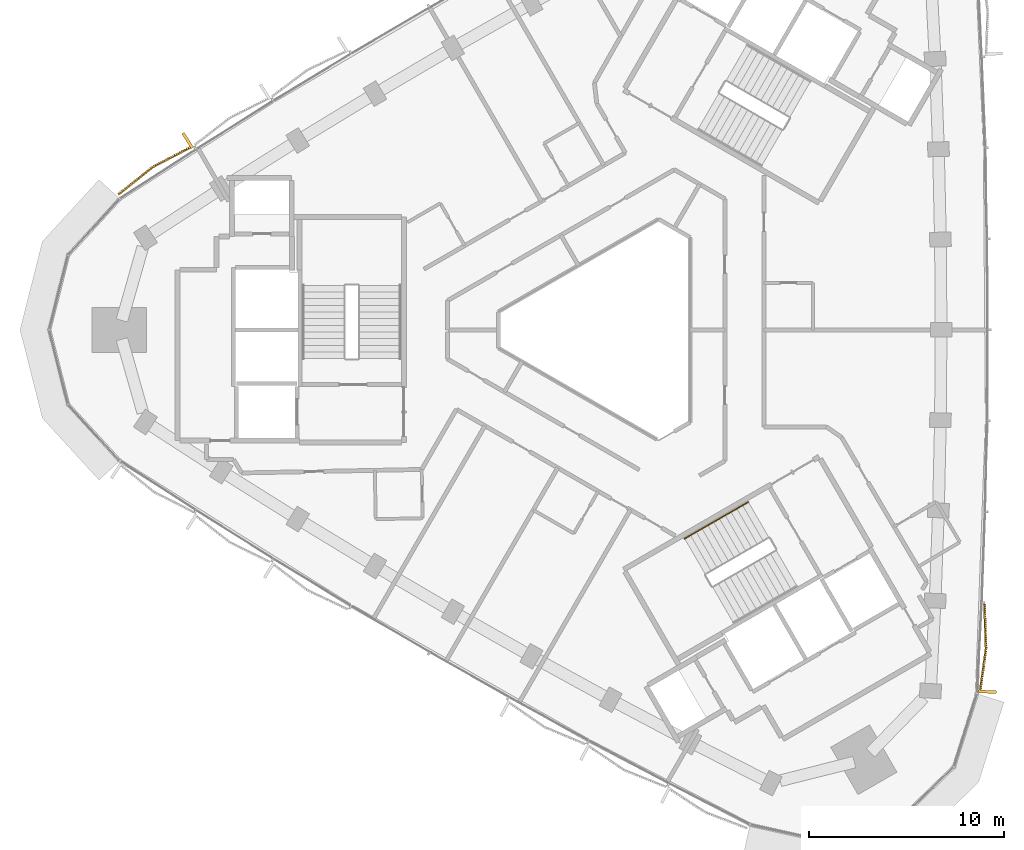
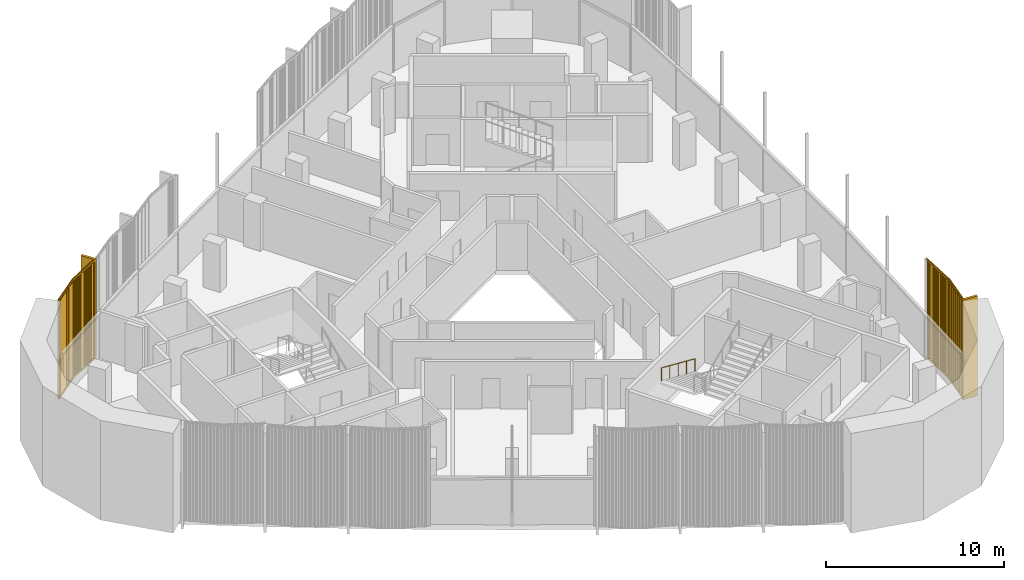
# One storey, part 14 of 16: 2 coverings, 1 railing.
"""IFC4 building model written with IfcOpenShell, lengths in metres."""

import ifcopenshell
import ifcopenshell.guid

model = None  # the IFC model being written
_history = None  # IfcOwnerHistory: only IFC2X3 demands one
_inside = {}  # id of a spatial element -> (the spatial element, [elements in it])
_under = {}  # id of a project, library or spatial element -> (it, [spatial elements below it])
_declared = {}  # id of a project -> (the project, [libraries it declares])
_typed = {}  # id of a type object -> (the type object, [elements of that type])
_made_of = {}  # id of a material, layer set ... -> (it, [elements and type objects made of it])


def new_model(schema):
    """Start an empty IFC model of exactly this schema.

    Asked for "IFC4X3", IfcOpenShell would pick the latest addendum, in which some entities
    have other attributes; the version numbers below select the first issue.
    IFC2X3 requires an IfcOwnerHistory on every rooted entity: one is made here for all.
    """
    global model, _history
    if schema == "IFC4X3":
        model = ifcopenshell.file(schema_version=(4, 3, 0, 0))
    else:
        model = ifcopenshell.file(schema=schema)
    _inside.clear()
    _under.clear()
    _declared.clear()
    _typed.clear()
    _made_of.clear()
    _history = None
    if model.schema == "IFC2X3":
        org = make("IfcOrganization", Name="unknown")
        user = make(
            "IfcPersonAndOrganization",
            ThePerson=make("IfcPerson", FamilyName="unknown"),
            TheOrganization=org,
        )
        app = make(
            "IfcApplication",
            ApplicationDeveloper=org,
            Version="unknown",
            ApplicationFullName="unknown",
            ApplicationIdentifier="unknown",
        )
        _history = make(
            "IfcOwnerHistory",
            OwningUser=user,
            OwningApplication=app,
            ChangeAction="ADDED",
            CreationDate=0,
        )
    return model


def make(cls, **values):
    """One entity of the class cls with the attributes given. An attribute that is None is left unset."""
    return model.create_entity(
        cls, **{name: value for name, value in values.items() if value is not None}
    )


def rooted(cls, **values):
    """An entity with a GlobalId (a new one), such as an element, a storey or a relation."""
    return make(cls, GlobalId=ifcopenshell.guid.new(), OwnerHistory=_history, **values)


def si_unit(unit_type, name, prefix=None):
    """IfcSIUnit, for example si_unit("LENGTHUNIT", "METRE", prefix="MILLI")."""
    return make("IfcSIUnit", UnitType=unit_type, Prefix=prefix, Name=name)


def assignment(units):
    """IfcUnitAssignment: the units of a project."""
    return None if units is None else make("IfcUnitAssignment", Units=units)


def point(xyz):
    """IfcCartesianPoint."""
    return None if xyz is None else make("IfcCartesianPoint", Coordinates=xyz)


def direction(xyz):
    """IfcDirection."""
    return None if xyz is None else make("IfcDirection", DirectionRatios=xyz)


def frame(location, z_axis=None, x_axis=None):
    """IfcAxis2Placement3D, a coordinate frame: its origin and axes. An axis left out is left unset."""
    return make(
        "IfcAxis2Placement3D",
        Location=point(location),
        Axis=direction(z_axis),
        RefDirection=direction(x_axis),
    )


def frame_2d(location, x_axis=None):
    """IfcAxis2Placement2D, a coordinate frame in the plane: its origin and x axis."""
    return make(
        "IfcAxis2Placement2D", Location=point(location), RefDirection=direction(x_axis)
    )


def origin():
    """The frame at (0, 0, 0) with its axes left unset."""
    return frame((0.0, 0.0, 0.0))


def origin_2d():
    """The frame at (0, 0) in the plane with its x axis left unset."""
    return frame_2d((0.0, 0.0))


def place(relative_to, where):
    """IfcLocalPlacement: puts the frame where relative to a parent placement (None: the world)."""
    return make(
        "IfcLocalPlacement", PlacementRelTo=relative_to, RelativePlacement=where
    )


def context(
    kind, dimensions, precision=None, world=None, true_north=None, identifier=None
):
    """IfcGeometricRepresentationContext, for example the 3D "Model" context."""
    return make(
        "IfcGeometricRepresentationContext",
        ContextIdentifier=identifier,
        ContextType=kind,
        CoordinateSpaceDimension=dimensions,
        Precision=precision,
        WorldCoordinateSystem=world,
        TrueNorth=true_north,
    )


def subcontext(parent, identifier, kind, view, scale=None):
    """IfcGeometricRepresentationSubContext, for example "Body" below "Model"."""
    return make(
        "IfcGeometricRepresentationSubContext",
        ContextIdentifier=identifier,
        ContextType=kind,
        ParentContext=parent,
        TargetScale=scale,
        TargetView=view,
    )


def project(units=None, contexts=None):
    """IfcProject with its units and contexts."""
    return rooted(
        "IfcProject",
        Name="project",
        RepresentationContexts=contexts,
        UnitsInContext=assignment(units),
    )


def spatial(cls, under=None, at=None, **own):
    """A site, building, storey or space (cls), placed at a placement, below another one or the project."""
    s = rooted(cls, ObjectPlacement=at, **own)
    if under is not None:
        _under.setdefault(under.id(), (under, []))[1].append(s)
    return s


def profile(cls, at=None, kind="AREA", **sizes):
    """A parametric profile (cls). Its sizes go by their IFC names, for example OverallWidth=200.0."""
    return make(cls, ProfileType=kind, Position=at, **sizes)


def rectangle(**sizes):
    """IfcRectangleProfileDef."""
    return profile("IfcRectangleProfileDef", **sizes)


def circle(**sizes):
    """IfcCircleProfileDef."""
    return profile("IfcCircleProfileDef", **sizes)


def extrude(swept, where, along, depth):
    """IfcExtrudedAreaSolid: the profile swept, set in the frame where, extruded along a direction by depth."""
    return make(
        "IfcExtrudedAreaSolid",
        SweptArea=swept,
        Position=where,
        ExtrudedDirection=direction(along),
        Depth=depth,
    )


def shape(context_of_items, identifier, shape_type, items):
    """IfcShapeRepresentation: the items that make up one representation, for example the "Body"."""
    return make(
        "IfcShapeRepresentation",
        ContextOfItems=context_of_items,
        RepresentationIdentifier=identifier,
        RepresentationType=shape_type,
        Items=items,
    )


def source(mapping_origin, context_of_items, identifier, shape_type, items):
    """IfcRepresentationMap: a shape defined once, which mapped items show again and again."""
    return make(
        "IfcRepresentationMap",
        MappingOrigin=mapping_origin,
        MappedRepresentation=shape(context_of_items, identifier, shape_type, items),
    )


def transform(
    local_origin,
    x_axis=None,
    y_axis=None,
    z_axis=None,
    scale=None,
    scale2=None,
    scale3=None,
    uniform=True,
):
    """IfcCartesianTransformationOperator3D, or its non-uniform kind. x_axis, y_axis, z_axis: its Axis1, 2, 3."""
    if uniform:
        return make(
            "IfcCartesianTransformationOperator3D",
            Axis1=direction(x_axis),
            Axis2=direction(y_axis),
            LocalOrigin=point(local_origin),
            Scale=scale,
            Axis3=direction(z_axis),
        )
    return make(
        "IfcCartesianTransformationOperator3DnonUniform",
        Axis1=direction(x_axis),
        Axis2=direction(y_axis),
        LocalOrigin=point(local_origin),
        Scale=scale,
        Axis3=direction(z_axis),
        Scale2=scale2,
        Scale3=scale3,
    )


def mapped(mapping_source, mapping_target):
    """IfcMappedItem: shows the shape of a source again, moved by a transform."""
    return make(
        "IfcMappedItem", MappingSource=mapping_source, MappingTarget=mapping_target
    )


def material(Name=None, Category=None):
    """IfcMaterial."""
    return make("IfcMaterial", Name=Name, Category=Category)


def made_of(thing, what):
    """Note that an element or type object is made of a material, layer set ...; save() writes the relation."""
    if what is not None:
        _made_of.setdefault(what.id(), (what, []))[1].append(thing)
    return thing


def type_object(cls, material=None, **own):
    """A type object (cls), such as IfcWallType, which elements share."""
    return made_of(rooted(cls, **own), material)


def element(
    cls,
    number,
    at=None,
    inside=None,
    cuts=None,
    type_object=None,
    material=None,
    context=None,
    identifier="Body",
    shape_type=None,
    held_by="IfcProductDefinitionShape",
    body=None,
    shapes=None,
    **own,
):
    """One element of the class cls, such as IfcWall. Its Tag is "e" and its number.

    at: its placement. inside: the storey or other place that contains it. cuts: it is an
    opening in that element (IfcRelVoidsElement). A single representation is given by context,
    identifier, shape_type and body (its items); several are given by shapes. held_by: the class
    of the entity that holds the representations. save() writes the other relations.
    """
    e = rooted(cls, Tag="e%d" % number, ObjectPlacement=at, **own)
    if body is not None:
        shapes = [shape(context, identifier, shape_type, body)]
    if shapes is not None:
        e.Representation = make(held_by, Representations=shapes)
    if inside is not None:
        _inside.setdefault(inside.id(), (inside, []))[1].append(e)
    if cuts is not None:
        rooted(
            "IfcRelVoidsElement", RelatingBuildingElement=cuts, RelatedOpeningElement=e
        )
    if type_object is not None:
        _typed.setdefault(type_object.id(), (type_object, []))[1].append(e)
    return made_of(e, material)


def aggregate(whole, parts):
    """IfcRelAggregates: a whole, such as a stair, and the parts it consists of."""
    return rooted("IfcRelAggregates", RelatingObject=whole, RelatedObjects=parts)


def save(model, path):
    """Write the relations noted so far, then the file.

    IfcRelAggregates (storeys below a building ...), IfcRelContainedInSpatialStructure (elements
    in a storey), IfcRelDefinesByType, IfcRelAssociatesMaterial and IfcRelDeclares: one each for
    every whole, place, type object, material and project.
    """
    for whole, parts in _under.values():
        aggregate(whole, parts)
    for where, things in _inside.values():
        rooted(
            "IfcRelContainedInSpatialStructure",
            RelatedElements=things,
            RelatingStructure=where,
        )
    for kind, things in _typed.values():
        rooted("IfcRelDefinesByType", RelatedObjects=things, RelatingType=kind)
    for what, things in _made_of.values():
        rooted("IfcRelAssociatesMaterial", RelatedObjects=things, RelatingMaterial=what)
    for by, libraries in _declared.values():
        rooted("IfcRelDeclares", RelatingContext=by, RelatedDefinitions=libraries)
    model.write(path)


model = new_model("IFC4")

# Units and contexts
model_context = context("Model", 3, precision=1e-05, world=origin(), true_north=direction((0.0, 1.0)))
body_context = subcontext(model_context, "Body", "Model", "MODEL_VIEW")
ifc_project = project(units=[si_unit("LENGTHUNIT", "METRE"), si_unit("AREAUNIT", "SQUARE_METRE"), si_unit("VOLUMEUNIT", "CUBIC_METRE"), si_unit("PLANEANGLEUNIT", "RADIAN"), si_unit("MASSUNIT", "GRAM", prefix="KILO")], contexts=[model_context])

# Site, building, storey
site_placement = place(None, origin())
site = spatial("IfcSite", under=ifc_project, at=site_placement, CompositionType="ELEMENT")
building_placement = place(site_placement, origin())
building = spatial("IfcBuilding", under=site, at=building_placement, Name="Tamra Quay Hotel Tower", CompositionType="ELEMENT")
storey_placement = place(building_placement, frame((0.0, 0.0, 232.199951171875)))
storey = spatial("IfcBuildingStorey", under=building, at=storey_placement, Name="L58", CompositionType="ELEMENT", Elevation=232.199951171875)

# Railing
ifc_material_1 = material(Name="Stair handrail 900")
railing_type = type_object("IfcRailingType", Name="Stair handrail 900", PredefinedType="HANDRAIL", material=ifc_material_1)
railing_placement = place(storey_placement, frame((6.7978515625, -8.814208984375, 0.150146484375)))
element("IfcRailing", 1, at=railing_placement, inside=storey, type_object=railing_type, Name="HR", PredefinedType="HANDRAIL", context=body_context, shape_type="SweptSolid", body=[
    extrude(circle(Radius=0.02392578125, at=origin_2d()), frame((0.0, 0.0, 0.8759765625), z_axis=(-0.79310004713, -0.457886897714, 0.401661429744), x_axis=(0.499992114976, -0.866029956157, 0.0)), (0.0, 0.0, 1.0), 4.107666015625),
    extrude(circle(Radius=0.02099609375, at=origin_2d()), origin(), (0.0, 0.0, 1.0), 0.851806640625),
    extrude(circle(Radius=0.02099609375, at=origin_2d()), frame((-0.814453125, -0.47021484375, 0.41259765625)), (0.0, 0.0, 1.0), 0.851806640625),
    extrude(circle(Radius=0.02099609375, at=origin_2d()), frame((-1.62890625, -0.9404296875, 0.824951171875)), (0.0, 0.0, 1.0), 0.851806640625),
    extrude(circle(Radius=0.02099609375, at=origin_2d()), frame((-2.443359375, -1.41064453125, 1.2373046875)), (0.0, 0.0, 1.0), 0.851806640625),
    extrude(circle(Radius=0.02099609375, at=origin_2d()), frame((-3.2578125, -1.880859375, 1.64990234375)), (0.0, 0.0, 1.0), 0.851806640625),
])

# Coverings
ifc_material_2 = material(Name="Terracotta baguette extruded", Category="masonry")
covering_type_1 = type_object("IfcCoveringType", Name="BAGUETTE SCREEN E-V H6850", PredefinedType="USERDEFINED", material=ifc_material_2)
shared_shape_1 = source(origin(), body_context, "Body", "SweptSolid", [
    extrude(rectangle(XDim=2.291259765625, YDim=0.06005859375, at=frame_2d((1.1455078125, 0.030029296875))), frame((-2.287841796875, -0.057861328125, -0.1201171875), z_axis=(0.0, 0.0, 1.0), x_axis=(0.996194698092, -0.087155742748, 0.0)), (0.0, 0.0, 1.0), 0.1201171875),
    extrude(rectangle(XDim=2.291259765625, YDim=0.06005859375, at=frame_2d((1.1455078125, 0.030029296875))), frame((-2.287841796875, -0.057861328125, -6.85009765625), z_axis=(0.0, 0.0, 1.0), x_axis=(0.996194698092, -0.087155742748, 0.0)), (0.0, 0.0, 1.0), 0.1201171875),
    extrude(rectangle(XDim=0.070068359375, YDim=0.10009765625, at=frame_2d((0.03515625, 0.050048828125))), frame((-2.267822265625, -0.13232421875, -6.7900390625)), (0.0, 0.0, 1.0), 6.72998046875),
    extrude(rectangle(XDim=0.070068359375, YDim=0.10009765625, at=frame_2d((0.03515625, 0.050048828125))), frame((-2.168701171875, -0.14111328125, -6.7900390625)), (0.0, 0.0, 1.0), 6.72998046875),
    extrude(rectangle(XDim=0.070068359375, YDim=0.10009765625, at=frame_2d((0.03515625, 0.050048828125))), frame((-2.0693359375, -0.149658203125, -6.7900390625)), (0.0, 0.0, 1.0), 6.72998046875),
    extrude(rectangle(XDim=0.070068359375, YDim=0.10009765625, at=frame_2d((0.03515625, 0.050048828125))), frame((-1.97021484375, -0.158447265625, -6.7900390625)), (0.0, 0.0, 1.0), 6.72998046875),
    extrude(rectangle(XDim=0.070068359375, YDim=0.10009765625, at=frame_2d((0.03515625, 0.050048828125))), frame((-1.870849609375, -0.1669921875, -6.7900390625)), (0.0, 0.0, 1.0), 6.72998046875),
    extrude(rectangle(XDim=0.070068359375, YDim=0.10009765625, at=frame_2d((0.03515625, 0.050048828125))), frame((-1.771728515625, -0.17578125, -6.7900390625)), (0.0, 0.0, 1.0), 6.72998046875),
    extrude(rectangle(XDim=0.070068359375, YDim=0.10009765625, at=frame_2d((0.03515625, 0.050048828125))), frame((-1.67236328125, -0.184326171875, -6.7900390625)), (0.0, 0.0, 1.0), 6.72998046875),
    extrude(rectangle(XDim=0.070068359375, YDim=0.10009765625, at=frame_2d((0.03515625, 0.050048828125))), frame((-1.5732421875, -0.193115234375, -6.7900390625)), (0.0, 0.0, 1.0), 6.72998046875),
    extrude(rectangle(XDim=0.070068359375, YDim=0.10009765625, at=frame_2d((0.03515625, 0.050048828125))), frame((-1.473876953125, -0.201904296875, -6.7900390625)), (0.0, 0.0, 1.0), 6.72998046875),
    extrude(rectangle(XDim=0.070068359375, YDim=0.10009765625, at=frame_2d((0.03515625, 0.050048828125))), frame((-1.374755859375, -0.21044921875, -6.7900390625)), (0.0, 0.0, 1.0), 6.72998046875),
    extrude(rectangle(XDim=0.070068359375, YDim=0.10009765625, at=frame_2d((0.03515625, 0.050048828125))), frame((-1.275390625, -0.21923828125, -6.7900390625)), (0.0, 0.0, 1.0), 6.72998046875),
    extrude(rectangle(XDim=0.070068359375, YDim=0.10009765625, at=frame_2d((0.03515625, 0.050048828125))), frame((-1.17626953125, -0.227783203125, -6.7900390625)), (0.0, 0.0, 1.0), 6.72998046875),
    extrude(rectangle(XDim=0.070068359375, YDim=0.10009765625, at=frame_2d((0.03515625, 0.050048828125))), frame((-1.076904296875, -0.236572265625, -6.7900390625)), (0.0, 0.0, 1.0), 6.72998046875),
    extrude(rectangle(XDim=0.070068359375, YDim=0.10009765625, at=frame_2d((0.03515625, 0.050048828125))), frame((-0.977783203125, -0.2451171875, -6.7900390625)), (0.0, 0.0, 1.0), 6.72998046875),
    extrude(rectangle(XDim=0.070068359375, YDim=0.10009765625, at=frame_2d((0.03515625, 0.050048828125))), frame((-0.87841796875, -0.25390625, -6.7900390625)), (0.0, 0.0, 1.0), 6.72998046875),
    extrude(rectangle(XDim=0.070068359375, YDim=0.10009765625, at=frame_2d((0.03515625, 0.050048828125))), frame((-0.779296875, -0.2626953125, -6.7900390625)), (0.0, 0.0, 1.0), 6.72998046875),
    extrude(rectangle(XDim=0.070068359375, YDim=0.10009765625, at=frame_2d((0.03515625, 0.050048828125))), frame((-0.679931640625, -0.271240234375, -6.7900390625)), (0.0, 0.0, 1.0), 6.72998046875),
    extrude(rectangle(XDim=0.070068359375, YDim=0.10009765625, at=frame_2d((0.03515625, 0.050048828125))), frame((-0.580810546875, -0.280029296875, -6.7900390625)), (0.0, 0.0, 1.0), 6.72998046875),
    extrude(rectangle(XDim=0.070068359375, YDim=0.10009765625, at=frame_2d((0.03515625, 0.050048828125))), frame((-0.481689453125, -0.28857421875, -6.7900390625)), (0.0, 0.0, 1.0), 6.72998046875),
    extrude(rectangle(XDim=0.070068359375, YDim=0.10009765625, at=frame_2d((0.03515625, 0.050048828125))), frame((-0.38232421875, -0.29736328125, -6.7900390625)), (0.0, 0.0, 1.0), 6.72998046875),
    extrude(rectangle(XDim=0.070068359375, YDim=0.10009765625, at=frame_2d((0.03515625, 0.050048828125))), frame((-0.283203125, -0.305908203125, -6.7900390625)), (0.0, 0.0, 1.0), 6.72998046875),
    extrude(rectangle(XDim=0.070068359375, YDim=0.10009765625, at=frame_2d((0.03515625, 0.050048828125))), frame((-0.183837890625, -0.314697265625, -6.7900390625)), (0.0, 0.0, 1.0), 6.72998046875),
    extrude(rectangle(XDim=0.070068359375, YDim=0.10009765625, at=frame_2d((0.03515625, 0.050048828125))), frame((-0.084716796875, -0.3232421875, -6.7900390625)), (0.0, 0.0, 1.0), 6.72998046875),
    extrude(rectangle(XDim=2.291259765625, YDim=0.06005859375, at=frame_2d((1.1455078125, 0.030029296875))), frame((0.005126953125, -0.257568359375, -0.1201171875), z_axis=(0.0, 0.0, 1.0), x_axis=(0.996194698092, 0.087155742748, 0.0)), (0.0, 0.0, 1.0), 0.1201171875),
    extrude(rectangle(XDim=2.291259765625, YDim=0.06005859375, at=frame_2d((1.1455078125, 0.030029296875))), frame((0.005126953125, -0.257568359375, -6.85009765625), z_axis=(0.0, 0.0, 1.0), x_axis=(0.996194698092, 0.087155742748, 0.0)), (0.0, 0.0, 1.0), 0.1201171875),
    extrude(rectangle(XDim=0.070068359375, YDim=0.10009765625, at=frame_2d((0.03515625, 0.050048828125))), frame((0.0146484375, -0.3232421875, -6.7900390625)), (0.0, 0.0, 1.0), 6.72998046875),
    extrude(rectangle(XDim=0.070068359375, YDim=0.10009765625, at=frame_2d((0.03515625, 0.050048828125))), frame((0.11376953125, -0.314697265625, -6.7900390625)), (0.0, 0.0, 1.0), 6.72998046875),
    extrude(rectangle(XDim=0.070068359375, YDim=0.10009765625, at=frame_2d((0.03515625, 0.050048828125))), frame((0.213134765625, -0.305908203125, -6.7900390625)), (0.0, 0.0, 1.0), 6.72998046875),
    extrude(rectangle(XDim=0.070068359375, YDim=0.10009765625, at=frame_2d((0.03515625, 0.050048828125))), frame((0.312255859375, -0.29736328125, -6.7900390625)), (0.0, 0.0, 1.0), 6.72998046875),
    extrude(rectangle(XDim=0.070068359375, YDim=0.10009765625, at=frame_2d((0.03515625, 0.050048828125))), frame((0.41162109375, -0.28857421875, -6.7900390625)), (0.0, 0.0, 1.0), 6.72998046875),
    extrude(rectangle(XDim=0.070068359375, YDim=0.10009765625, at=frame_2d((0.03515625, 0.050048828125))), frame((0.5107421875, -0.280029296875, -6.7900390625)), (0.0, 0.0, 1.0), 6.72998046875),
    extrude(rectangle(XDim=0.070068359375, YDim=0.10009765625, at=frame_2d((0.03515625, 0.050048828125))), frame((0.610107421875, -0.271240234375, -6.7900390625)), (0.0, 0.0, 1.0), 6.72998046875),
    extrude(rectangle(XDim=0.070068359375, YDim=0.10009765625, at=frame_2d((0.03515625, 0.050048828125))), frame((0.709228515625, -0.2626953125, -6.7900390625)), (0.0, 0.0, 1.0), 6.72998046875),
    extrude(rectangle(XDim=0.070068359375, YDim=0.10009765625, at=frame_2d((0.03515625, 0.050048828125))), frame((0.80859375, -0.25390625, -6.7900390625)), (0.0, 0.0, 1.0), 6.72998046875),
    extrude(rectangle(XDim=0.070068359375, YDim=0.10009765625, at=frame_2d((0.03515625, 0.050048828125))), frame((0.90771484375, -0.2451171875, -6.7900390625)), (0.0, 0.0, 1.0), 6.72998046875),
    extrude(rectangle(XDim=0.070068359375, YDim=0.10009765625, at=frame_2d((0.03515625, 0.050048828125))), frame((1.007080078125, -0.236572265625, -6.7900390625)), (0.0, 0.0, 1.0), 6.72998046875),
    extrude(rectangle(XDim=0.070068359375, YDim=0.10009765625, at=frame_2d((0.03515625, 0.050048828125))), frame((1.106201171875, -0.227783203125, -6.7900390625)), (0.0, 0.0, 1.0), 6.72998046875),
    extrude(rectangle(XDim=0.070068359375, YDim=0.10009765625, at=frame_2d((0.03515625, 0.050048828125))), frame((1.20556640625, -0.21923828125, -6.7900390625)), (0.0, 0.0, 1.0), 6.72998046875),
    extrude(rectangle(XDim=0.070068359375, YDim=0.10009765625, at=frame_2d((0.03515625, 0.050048828125))), frame((1.3046875, -0.21044921875, -6.7900390625)), (0.0, 0.0, 1.0), 6.72998046875),
    extrude(rectangle(XDim=0.070068359375, YDim=0.10009765625, at=frame_2d((0.03515625, 0.050048828125))), frame((1.404052734375, -0.201904296875, -6.7900390625)), (0.0, 0.0, 1.0), 6.72998046875),
    extrude(rectangle(XDim=0.070068359375, YDim=0.10009765625, at=frame_2d((0.03515625, 0.050048828125))), frame((1.503173828125, -0.193115234375, -6.7900390625)), (0.0, 0.0, 1.0), 6.72998046875),
    extrude(rectangle(XDim=0.070068359375, YDim=0.10009765625, at=frame_2d((0.03515625, 0.050048828125))), frame((1.6025390625, -0.184326171875, -6.7900390625)), (0.0, 0.0, 1.0), 6.72998046875),
    extrude(rectangle(XDim=0.070068359375, YDim=0.10009765625, at=frame_2d((0.03515625, 0.050048828125))), frame((1.70166015625, -0.17578125, -6.7900390625)), (0.0, 0.0, 1.0), 6.72998046875),
    extrude(rectangle(XDim=0.070068359375, YDim=0.10009765625, at=frame_2d((0.03515625, 0.050048828125))), frame((1.801025390625, -0.1669921875, -6.7900390625)), (0.0, 0.0, 1.0), 6.72998046875),
    extrude(rectangle(XDim=0.070068359375, YDim=0.10009765625, at=frame_2d((0.03515625, 0.050048828125))), frame((1.900146484375, -0.158447265625, -6.7900390625)), (0.0, 0.0, 1.0), 6.72998046875),
    extrude(rectangle(XDim=0.070068359375, YDim=0.10009765625, at=frame_2d((0.03515625, 0.050048828125))), frame((1.99951171875, -0.149658203125, -6.7900390625)), (0.0, 0.0, 1.0), 6.72998046875),
    extrude(rectangle(XDim=0.070068359375, YDim=0.10009765625, at=frame_2d((0.03515625, 0.050048828125))), frame((2.0986328125, -0.14111328125, -6.7900390625)), (0.0, 0.0, 1.0), 6.72998046875),
    extrude(rectangle(XDim=0.070068359375, YDim=0.10009765625, at=frame_2d((0.03515625, 0.050048828125))), frame((2.197998046875, -0.13232421875, -6.7900390625)), (0.0, 0.0, 1.0), 6.72998046875),
    extrude(rectangle(XDim=0.14990234375, YDim=0.902099609375, at=frame_2d((0.074951171875, 0.451171875))), frame((-2.282470703125, -0.89990234375, -6.85009765625)), (0.0, 0.0, 1.0), 6.85009765625),
])
covering_1_placement = place(storey_placement, frame((18.7099609375, -16.3076171875, 6.85009765625), z_axis=(0.0, 0.0, 1.0), x_axis=(0.05140283052, 0.998678000666, 0.0)))
element("IfcCovering", 2, at=covering_1_placement, inside=storey, type_object=covering_type_1, Name="Baguette screen L58.E.f00", ObjectType="BAGUETTE SCREEN", PredefinedType="USERDEFINED", context=body_context, shape_type="MappedRepresentation", body=[
    mapped(shared_shape_1, transform((0.0, 0.0, 0.0), scale=1.0)),
])
covering_type_2 = type_object("IfcCoveringType", Name="BAGUETTE SCREEN NW-V H6850", PredefinedType="USERDEFINED", material=ifc_material_2)
shared_shape_2 = source(origin(), body_context, "Body", "SweptSolid", [
    extrude(rectangle(XDim=2.29296875, YDim=0.06005859375, at=frame_2d((1.146484375, 0.030029296875))), frame((-2.288330078125, -0.0576171875, -0.1201171875), z_axis=(0.0, 0.0, 1.0), x_axis=(0.995396198367, -0.09584575252, 0.0)), (0.0, 0.0, 1.0), 0.1201171875),
    extrude(rectangle(XDim=2.29296875, YDim=0.06005859375, at=frame_2d((1.146484375, 0.030029296875))), frame((-2.288330078125, -0.0576171875, -6.85009765625), z_axis=(0.0, 0.0, 1.0), x_axis=(0.995396198367, -0.09584575252, 0.0)), (0.0, 0.0, 1.0), 0.1201171875),
    extrude(rectangle(XDim=0.070068359375, YDim=0.10009765625, at=frame_2d((0.03515625, 0.050048828125))), frame((-2.267822265625, -0.1328125, -6.7900390625)), (0.0, 0.0, 1.0), 6.72998046875),
    extrude(rectangle(XDim=0.070068359375, YDim=0.10009765625, at=frame_2d((0.03515625, 0.050048828125))), frame((-2.168701171875, -0.142333984375, -6.7900390625)), (0.0, 0.0, 1.0), 6.72998046875),
    extrude(rectangle(XDim=0.070068359375, YDim=0.10009765625, at=frame_2d((0.03515625, 0.050048828125))), frame((-2.0693359375, -0.15185546875, -6.7900390625)), (0.0, 0.0, 1.0), 6.72998046875),
    extrude(rectangle(XDim=0.070068359375, YDim=0.10009765625, at=frame_2d((0.03515625, 0.050048828125))), frame((-1.97021484375, -0.161376953125, -6.7900390625)), (0.0, 0.0, 1.0), 6.72998046875),
    extrude(rectangle(XDim=0.070068359375, YDim=0.10009765625, at=frame_2d((0.03515625, 0.050048828125))), frame((-1.870849609375, -0.1708984375, -6.7900390625)), (0.0, 0.0, 1.0), 6.72998046875),
    extrude(rectangle(XDim=0.070068359375, YDim=0.10009765625, at=frame_2d((0.03515625, 0.050048828125))), frame((-1.771728515625, -0.1806640625, -6.7900390625)), (0.0, 0.0, 1.0), 6.72998046875),
    extrude(rectangle(XDim=0.070068359375, YDim=0.10009765625, at=frame_2d((0.03515625, 0.050048828125))), frame((-1.67236328125, -0.190185546875, -6.7900390625)), (0.0, 0.0, 1.0), 6.72998046875),
    extrude(rectangle(XDim=0.070068359375, YDim=0.10009765625, at=frame_2d((0.03515625, 0.050048828125))), frame((-1.5732421875, -0.19970703125, -6.7900390625)), (0.0, 0.0, 1.0), 6.72998046875),
    extrude(rectangle(XDim=0.070068359375, YDim=0.10009765625, at=frame_2d((0.03515625, 0.050048828125))), frame((-1.473876953125, -0.209228515625, -6.7900390625)), (0.0, 0.0, 1.0), 6.72998046875),
    extrude(rectangle(XDim=0.070068359375, YDim=0.10009765625, at=frame_2d((0.03515625, 0.050048828125))), frame((-1.374755859375, -0.21875, -6.7900390625)), (0.0, 0.0, 1.0), 6.72998046875),
    extrude(rectangle(XDim=0.070068359375, YDim=0.10009765625, at=frame_2d((0.03515625, 0.050048828125))), frame((-1.275390625, -0.228271484375, -6.7900390625)), (0.0, 0.0, 1.0), 6.72998046875),
    extrude(rectangle(XDim=0.070068359375, YDim=0.10009765625, at=frame_2d((0.03515625, 0.050048828125))), frame((-1.17626953125, -0.23779296875, -6.7900390625)), (0.0, 0.0, 1.0), 6.72998046875),
    extrude(rectangle(XDim=0.070068359375, YDim=0.10009765625, at=frame_2d((0.03515625, 0.050048828125))), frame((-1.076904296875, -0.24755859375, -6.7900390625)), (0.0, 0.0, 1.0), 6.72998046875),
    extrude(rectangle(XDim=0.070068359375, YDim=0.10009765625, at=frame_2d((0.03515625, 0.050048828125))), frame((-0.977783203125, -0.257080078125, -6.7900390625)), (0.0, 0.0, 1.0), 6.72998046875),
    extrude(rectangle(XDim=0.070068359375, YDim=0.10009765625, at=frame_2d((0.03515625, 0.050048828125))), frame((-0.87841796875, -0.2666015625, -6.7900390625)), (0.0, 0.0, 1.0), 6.72998046875),
    extrude(rectangle(XDim=0.070068359375, YDim=0.10009765625, at=frame_2d((0.03515625, 0.050048828125))), frame((-0.779296875, -0.276123046875, -6.7900390625)), (0.0, 0.0, 1.0), 6.72998046875),
    extrude(rectangle(XDim=0.070068359375, YDim=0.10009765625, at=frame_2d((0.03515625, 0.050048828125))), frame((-0.679931640625, -0.28564453125, -6.7900390625)), (0.0, 0.0, 1.0), 6.72998046875),
    extrude(rectangle(XDim=0.070068359375, YDim=0.10009765625, at=frame_2d((0.03515625, 0.050048828125))), frame((-0.580810546875, -0.295166015625, -6.7900390625)), (0.0, 0.0, 1.0), 6.72998046875),
    extrude(rectangle(XDim=0.070068359375, YDim=0.10009765625, at=frame_2d((0.03515625, 0.050048828125))), frame((-0.481689453125, -0.3046875, -6.7900390625)), (0.0, 0.0, 1.0), 6.72998046875),
    extrude(rectangle(XDim=0.070068359375, YDim=0.10009765625, at=frame_2d((0.03515625, 0.050048828125))), frame((-0.38232421875, -0.314453125, -6.7900390625)), (0.0, 0.0, 1.0), 6.72998046875),
    extrude(rectangle(XDim=0.070068359375, YDim=0.10009765625, at=frame_2d((0.03515625, 0.050048828125))), frame((-0.283203125, -0.323974609375, -6.7900390625)), (0.0, 0.0, 1.0), 6.72998046875),
    extrude(rectangle(XDim=0.070068359375, YDim=0.10009765625, at=frame_2d((0.03515625, 0.050048828125))), frame((-0.183837890625, -0.33349609375, -6.7900390625)), (0.0, 0.0, 1.0), 6.72998046875),
    extrude(rectangle(XDim=0.070068359375, YDim=0.10009765625, at=frame_2d((0.03515625, 0.050048828125))), frame((-0.084716796875, -0.343017578125, -6.7900390625)), (0.0, 0.0, 1.0), 6.72998046875),
    extrude(rectangle(XDim=2.29296875, YDim=0.06005859375, at=frame_2d((1.146484375, 0.030029296875))), frame((0.005859375, -0.277587890625, -0.1201171875), z_axis=(0.0, 0.0, 1.0), x_axis=(0.995396198367, 0.09584575252, 0.0)), (0.0, 0.0, 1.0), 0.1201171875),
    extrude(rectangle(XDim=2.29296875, YDim=0.06005859375, at=frame_2d((1.146484375, 0.030029296875))), frame((0.005859375, -0.277587890625, -6.85009765625), z_axis=(0.0, 0.0, 1.0), x_axis=(0.995396198367, 0.09584575252, 0.0)), (0.0, 0.0, 1.0), 0.1201171875),
    extrude(rectangle(XDim=0.070068359375, YDim=0.10009765625, at=frame_2d((0.03515625, 0.050048828125))), frame((0.0146484375, -0.343017578125, -6.7900390625)), (0.0, 0.0, 1.0), 6.72998046875),
    extrude(rectangle(XDim=0.070068359375, YDim=0.10009765625, at=frame_2d((0.03515625, 0.050048828125))), frame((0.11376953125, -0.33349609375, -6.7900390625)), (0.0, 0.0, 1.0), 6.72998046875),
    extrude(rectangle(XDim=0.070068359375, YDim=0.10009765625, at=frame_2d((0.03515625, 0.050048828125))), frame((0.213134765625, -0.323974609375, -6.7900390625)), (0.0, 0.0, 1.0), 6.72998046875),
    extrude(rectangle(XDim=0.070068359375, YDim=0.10009765625, at=frame_2d((0.03515625, 0.050048828125))), frame((0.312255859375, -0.314453125, -6.7900390625)), (0.0, 0.0, 1.0), 6.72998046875),
    extrude(rectangle(XDim=0.070068359375, YDim=0.10009765625, at=frame_2d((0.03515625, 0.050048828125))), frame((0.41162109375, -0.3046875, -6.7900390625)), (0.0, 0.0, 1.0), 6.72998046875),
    extrude(rectangle(XDim=0.070068359375, YDim=0.10009765625, at=frame_2d((0.03515625, 0.050048828125))), frame((0.5107421875, -0.295166015625, -6.7900390625)), (0.0, 0.0, 1.0), 6.72998046875),
    extrude(rectangle(XDim=0.070068359375, YDim=0.10009765625, at=frame_2d((0.03515625, 0.050048828125))), frame((0.610107421875, -0.28564453125, -6.7900390625)), (0.0, 0.0, 1.0), 6.72998046875),
    extrude(rectangle(XDim=0.070068359375, YDim=0.10009765625, at=frame_2d((0.03515625, 0.050048828125))), frame((0.709228515625, -0.276123046875, -6.7900390625)), (0.0, 0.0, 1.0), 6.72998046875),
    extrude(rectangle(XDim=0.070068359375, YDim=0.10009765625, at=frame_2d((0.03515625, 0.050048828125))), frame((0.80859375, -0.2666015625, -6.7900390625)), (0.0, 0.0, 1.0), 6.72998046875),
    extrude(rectangle(XDim=0.070068359375, YDim=0.10009765625, at=frame_2d((0.03515625, 0.050048828125))), frame((0.90771484375, -0.257080078125, -6.7900390625)), (0.0, 0.0, 1.0), 6.72998046875),
    extrude(rectangle(XDim=0.070068359375, YDim=0.10009765625, at=frame_2d((0.03515625, 0.050048828125))), frame((1.007080078125, -0.24755859375, -6.7900390625)), (0.0, 0.0, 1.0), 6.72998046875),
    extrude(rectangle(XDim=0.070068359375, YDim=0.10009765625, at=frame_2d((0.03515625, 0.050048828125))), frame((1.106201171875, -0.23779296875, -6.7900390625)), (0.0, 0.0, 1.0), 6.72998046875),
    extrude(rectangle(XDim=0.070068359375, YDim=0.10009765625, at=frame_2d((0.03515625, 0.050048828125))), frame((1.20556640625, -0.228271484375, -6.7900390625)), (0.0, 0.0, 1.0), 6.72998046875),
    extrude(rectangle(XDim=0.070068359375, YDim=0.10009765625, at=frame_2d((0.03515625, 0.050048828125))), frame((1.3046875, -0.21875, -6.7900390625)), (0.0, 0.0, 1.0), 6.72998046875),
    extrude(rectangle(XDim=0.070068359375, YDim=0.10009765625, at=frame_2d((0.03515625, 0.050048828125))), frame((1.404052734375, -0.209228515625, -6.7900390625)), (0.0, 0.0, 1.0), 6.72998046875),
    extrude(rectangle(XDim=0.070068359375, YDim=0.10009765625, at=frame_2d((0.03515625, 0.050048828125))), frame((1.503173828125, -0.19970703125, -6.7900390625)), (0.0, 0.0, 1.0), 6.72998046875),
    extrude(rectangle(XDim=0.070068359375, YDim=0.10009765625, at=frame_2d((0.03515625, 0.050048828125))), frame((1.6025390625, -0.190185546875, -6.7900390625)), (0.0, 0.0, 1.0), 6.72998046875),
    extrude(rectangle(XDim=0.070068359375, YDim=0.10009765625, at=frame_2d((0.03515625, 0.050048828125))), frame((1.70166015625, -0.1806640625, -6.7900390625)), (0.0, 0.0, 1.0), 6.72998046875),
    extrude(rectangle(XDim=0.070068359375, YDim=0.10009765625, at=frame_2d((0.03515625, 0.050048828125))), frame((1.801025390625, -0.1708984375, -6.7900390625)), (0.0, 0.0, 1.0), 6.72998046875),
    extrude(rectangle(XDim=0.070068359375, YDim=0.10009765625, at=frame_2d((0.03515625, 0.050048828125))), frame((1.900146484375, -0.161376953125, -6.7900390625)), (0.0, 0.0, 1.0), 6.72998046875),
    extrude(rectangle(XDim=0.070068359375, YDim=0.10009765625, at=frame_2d((0.03515625, 0.050048828125))), frame((1.99951171875, -0.15185546875, -6.7900390625)), (0.0, 0.0, 1.0), 6.72998046875),
    extrude(rectangle(XDim=0.070068359375, YDim=0.10009765625, at=frame_2d((0.03515625, 0.050048828125))), frame((2.0986328125, -0.142333984375, -6.7900390625)), (0.0, 0.0, 1.0), 6.72998046875),
    extrude(rectangle(XDim=0.070068359375, YDim=0.10009765625, at=frame_2d((0.03515625, 0.050048828125))), frame((2.197998046875, -0.1328125, -6.7900390625)), (0.0, 0.0, 1.0), 6.72998046875),
    extrude(rectangle(XDim=0.14990234375, YDim=0.902099609375, at=frame_2d((0.074951171875, 0.451171875))), frame((-2.282470703125, -0.89990234375, -6.85009765625)), (0.0, 0.0, 1.0), 6.85009765625),
])
covering_2_placement = place(storey_placement, frame((-23.524169921875, 8.120849609375, 6.85009765625), z_axis=(0.0, 0.0, 1.0), x_axis=(-0.839179103518, -0.54385515739, 0.0)))
element("IfcCovering", 3, at=covering_2_placement, inside=storey, type_object=covering_type_2, Name="Baguette screen L58.NW.f07", ObjectType="BAGUETTE SCREEN", PredefinedType="USERDEFINED", context=body_context, shape_type="MappedRepresentation", body=[
    mapped(shared_shape_2, transform((0.0, 0.0, 0.0), scale=1.0)),
])

save(model, "model.ifc")
